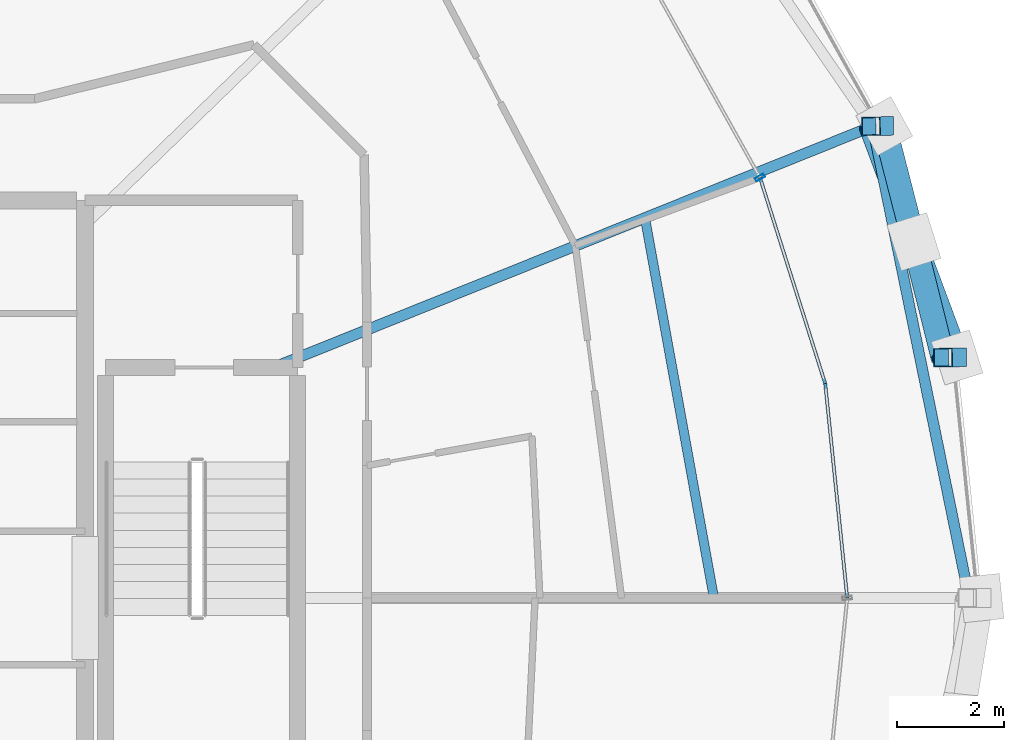
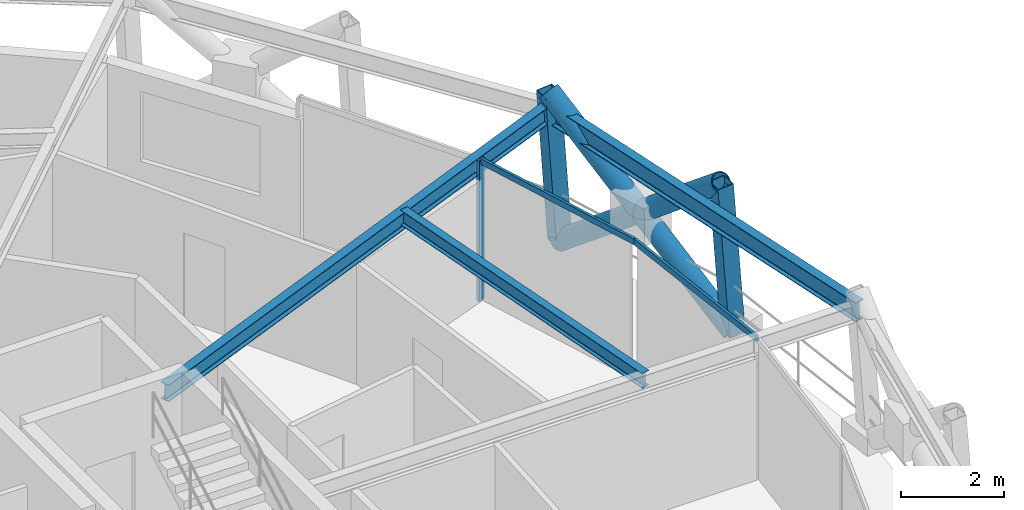
# One storey, part 7 of 17: 8 members, 3 beams, 1 element without a shape of its own.
"""IFC4 building model written with IfcOpenShell, lengths in metres."""

from ifc_helpers import new_model, si_unit, direction, frame, origin, origin_2d, place, context, subcontext, project, spatial, hollow_rectangle, hollow_circle, i_section, extrude, material, layer, layer_set, material_profile, profile_set, type_object, element, aggregate, save


model = new_model("IFC4")

# Units and contexts
model_context = context("Model", 3, precision=1e-05, world=origin(), true_north=direction((0.0, 1.0)))
body_context = subcontext(model_context, "Body", "Model", "MODEL_VIEW")
ifc_project = project(units=[si_unit("LENGTHUNIT", "METRE"), si_unit("AREAUNIT", "SQUARE_METRE"), si_unit("VOLUMEUNIT", "CUBIC_METRE"), si_unit("PLANEANGLEUNIT", "RADIAN"), si_unit("MASSUNIT", "GRAM", prefix="KILO")], contexts=[model_context])

# Site, building, storey
site_placement = place(None, origin())
site = spatial("IfcSite", under=ifc_project, at=site_placement, CompositionType="ELEMENT")
building_placement = place(site_placement, origin())
building = spatial("IfcBuilding", under=site, at=building_placement, Name="Veldorina Hangang Commons", CompositionType="ELEMENT")
storey_placement = place(building_placement, frame((0.0, 0.0, 236.39990234375)))
storey = spatial("IfcBuildingStorey", under=building, at=storey_placement, Name="L61", CompositionType="ELEMENT", Elevation=236.39990234375)

# Beams
ifc_material_1 = material(Name="Steel SM355-TMC", Category="steel")
ifc_material_profile_1 = material_profile(ifc_material_1, i_section(OverallWidth=0.199951171875, OverallDepth=0.39990234375, WebThickness=0.008056640625, FlangeThickness=0.012939453125, FilletRadius=0.012939453125, at=origin_2d()), Name="H-400x200x8x13")
ifc_profile_set_1 = profile_set([ifc_material_profile_1], Name="Steel SM355-TMC")
beam_type_1 = type_object("IfcBeamType", Name="BM-FG400", PredefinedType="BEAM", material=ifc_profile_set_1)
beam_1_placement = place(storey_placement, frame((42.7294921875, 28.320068359375, 3.16015625), z_axis=(0.927635073357, 0.373487845421, 0.0), x_axis=(-0.373487845421, 0.927635073357, 0.0)))
element("IfcBeam", 1, at=beam_1_placement, inside=storey, type_object=beam_type_1, Name="L61 radial floor girder 02", PredefinedType="BEAM", context=body_context, shape_type="SweptSolid", body=[
    extrude(i_section(OverallWidth=0.199951171875, OverallDepth=0.39990234375, WebThickness=0.008056640625, FlangeThickness=0.012939453125, FilletRadius=0.012939453125, at=origin_2d()), origin(), (0.0, 0.0, 1.0), 12.09765625),
])
ifc_material_profile_2 = material_profile(ifc_material_1, i_section(OverallWidth=0.175048828125, OverallDepth=0.35009765625, WebThickness=0.007080078125, FlangeThickness=0.010986328125, FilletRadius=0.012939453125, at=origin_2d()), Name="H-350x175x7x11")
ifc_profile_set_2 = profile_set([ifc_material_profile_2], Name="Steel SM355-TMC")
beam_type_2 = type_object("IfcBeamType", Name="BM-JST350", PredefinedType="JOIST", material=ifc_profile_set_2)
beam_2_placement = place(storey_placement, frame((50.979736328125, 24.0, 3.18505859375), z_axis=(-0.178576714982, 0.983925991559, 0.0), x_axis=(-0.983925991559, -0.178576714982, 0.0)))
element("IfcBeam", 2, at=beam_2_placement, inside=storey, type_object=beam_type_2, Name="L61 secondary floor joist 01", PredefinedType="JOIST", context=body_context, shape_type="SweptSolid", body=[
    extrude(i_section(OverallWidth=0.175048828125, OverallDepth=0.35009765625, WebThickness=0.007080078125, FlangeThickness=0.010986328125, FilletRadius=0.012939453125, at=origin_2d()), origin(), (0.0, 0.0, 1.0), 7.23779296875),
])
ifc_material_profile_3 = material_profile(ifc_material_1, i_section(OverallWidth=0.199951171875, OverallDepth=0.449951171875, WebThickness=0.009033203125, FlangeThickness=0.013916015625, FilletRadius=0.01611328125, at=origin_2d()), Name="H-450x200x9x14")
ifc_profile_set_3 = profile_set([ifc_material_profile_3], Name="Steel SM355-TMC")
beam_type_3 = type_object("IfcBeamType", Name="BM-RB450", PredefinedType="BEAM", material=ifc_profile_set_3)
beam_3_placement = place(storey_placement, frame((55.760498046875, 24.0, 3.135009765625), z_axis=(-0.200501316048, 0.979693432796, 0.0), x_axis=(-0.979693432796, -0.200501316048, 0.0)))
element("IfcBeam", 3, at=beam_3_placement, inside=storey, type_object=beam_type_3, Name="L61 perimeter hoop ring beam 00", PredefinedType="BEAM", context=body_context, shape_type="SweptSolid", body=[
    extrude(i_section(OverallWidth=0.199951171875, OverallDepth=0.449951171875, WebThickness=0.009033203125, FlangeThickness=0.013916015625, FilletRadius=0.01611328125, at=origin_2d()), origin(), (0.0, 0.0, 1.0), 9.021484375),
])

# Curtain wall, members
ifc_material_2 = material(Name="Glass Low-E Selective", Category="glass")
ifc_layer = layer(ifc_material_2, 0.179931640625)
ifc_layer_set = layer_set([ifc_layer], Name="Glass Low-E Selective")
curtain_wall_type = type_object("IfcCurtainWallType", Name="CW-SYS-Z3", PredefinedType="NOTDEFINED", material=ifc_layer_set)
curtain_wall_placement = place(storey_placement, origin())
curtain_wall = element("IfcCurtainWall", 4, at=curtain_wall_placement, inside=storey, type_object=curtain_wall_type, Name="L61 unitised curtain wall CW-L61-R2", PredefinedType="NOTDEFINED")
ifc_material_3 = material(Name="Aluminium Anodized AA6063-T6", Category="aluminium")
ifc_material_profile_4 = material_profile(ifc_material_3, hollow_rectangle(XDim=0.070068359375, YDim=0.179931640625, WallThickness=0.00390625, at=origin_2d()), Name="ALU-RHS-180x70x4")
ifc_profile_set_4 = profile_set([ifc_material_profile_4], Name="Aluminium Anodized AA6063-T6")
member_type_1 = type_object("IfcMemberType", Name="CW-MUL-180", PredefinedType="MULLION", material=ifc_profile_set_4)
member_1_placement = place(storey_placement, frame((51.841552734375, 31.8779296875, 0.0), z_axis=(0.0, 0.0, 1.0), x_axis=(-0.487021489454, 0.873389986667, 0.0)))
member_1 = element("IfcMember", 5, at=member_1_placement, type_object=member_type_1, Name="CW-L61-R2 vertical mullion 3", PredefinedType="MULLION", context=body_context, shape_type="SweptSolid", body=[
    extrude(hollow_rectangle(XDim=0.070068359375, YDim=0.179931640625, WallThickness=0.00390625, at=origin_2d()), origin(), (0.0, 0.0, 1.0), 3.320068359375),
])
ifc_material_profile_5 = material_profile(ifc_material_3, hollow_rectangle(XDim=0.06005859375, YDim=0.139892578125, WallThickness=0.00341796875, at=origin_2d()), Name="ALU-RHS-140x60x3.5")
ifc_profile_set_5 = profile_set([ifc_material_profile_5], Name="Aluminium Anodized AA6063-T6")
member_type_2 = type_object("IfcMemberType", Name="CW-TRN-140", PredefinedType="USERDEFINED", material=ifc_profile_set_5)
member_2_placement = place(storey_placement, frame((53.476318359375, 24.0, 3.280029296875), z_axis=(-0.1021976505, 0.994764112859, 0.0), x_axis=(-0.994764112859, -0.1021976505, 0.0)))
member_2 = element("IfcMember", 6, at=member_2_placement, type_object=member_type_2, Name="CW-L61-R2 facet 3 transom 1", ObjectType="TRANSOM", PredefinedType="USERDEFINED", context=body_context, shape_type="SweptSolid", body=[
    extrude(hollow_rectangle(XDim=0.06005859375, YDim=0.139892578125, WallThickness=0.00341796875, at=origin_2d()), origin(), (0.0, 0.0, 1.0), 4.037353515625),
])
member_3_placement = place(storey_placement, frame((53.063720703125, 28.01611328125, 3.280029296875), z_axis=(-0.301725535313, 0.953394829722, 0.0), x_axis=(-0.953394829722, -0.301725535313, 0.0)))
member_3 = element("IfcMember", 7, at=member_3_placement, type_object=member_type_2, Name="CW-L61-R2 facet 4 transom 1", ObjectType="TRANSOM", PredefinedType="USERDEFINED", context=body_context, shape_type="SweptSolid", body=[
    extrude(hollow_rectangle(XDim=0.06005859375, YDim=0.139892578125, WallThickness=0.00341796875, at=origin_2d()), origin(), (0.0, 0.0, 1.0), 4.050537109375),
])
aggregate(curtain_wall, [member_1, member_2, member_3])

# Members
ifc_material_profile_6 = material_profile(ifc_material_1, hollow_circle(Radius=0.22509765625, WallThickness=0.02197265625, at=origin_2d()), Name="CHS-450x22")
ifc_profile_set_6 = profile_set([ifc_material_profile_6], Name="Steel SM355-TMC")
member_type_3 = type_object("IfcMemberType", Name="DG-CHS450", PredefinedType="BRACE", material=ifc_profile_set_6)
member_4_placement = place(storey_placement, frame((55.53515625, 28.5078125, 0.0), z_axis=(-0.275804432455, 0.739104202115, 0.614537951191), x_axis=(-0.936894586897, -0.34961197497, 0.0)))
element("IfcMember", 8, at=member_4_placement, inside=storey, type_object=member_type_3, Name="L61 continuous perimeter diagrid brace 01", PredefinedType="BRACE", context=body_context, shape_type="SweptSolid", body=[
    extrude(hollow_circle(Radius=0.22509765625, WallThickness=0.02197265625, at=origin_2d()), origin(), (0.0, 0.0, 1.0), 5.858154296875),
])
member_5_placement = place(storey_placement, frame((54.169677734375, 32.84228515625, 0.0), z_axis=(0.193897684111, -0.754518595489, 0.626981161725), x_axis=(0.968530502686, 0.24889488819, 0.0)))
element("IfcMember", 9, at=member_5_placement, inside=storey, type_object=member_type_3, Name="L61 split perimeter diagrid lower brace 02", PredefinedType="BRACE", context=body_context, shape_type="SweptSolid", body=[
    extrude(hollow_circle(Radius=0.22509765625, WallThickness=0.02197265625, at=origin_2d()), origin(), (0.0, 0.0, 1.0), 2.873291015625),
])
member_6_placement = place(storey_placement, frame((54.726806640625, 30.67431640625, 1.801513671875), z_axis=(0.189138497592, -0.755873330009, 0.626803109205), x_axis=(0.970091092345, 0.242741163697, 0.0)))
element("IfcMember", 10, at=member_6_placement, inside=storey, type_object=member_type_3, Name="L61 split perimeter diagrid upper brace 02", PredefinedType="BRACE", context=body_context, shape_type="SweptSolid", body=[
    extrude(hollow_circle(Radius=0.22509765625, WallThickness=0.02197265625, at=origin_2d()), origin(), (0.0, 0.0, 1.0), 2.869384765625),
])
ifc_material_profile_7 = material_profile(ifc_material_1, hollow_rectangle(XDim=0.35009765625, YDim=0.35009765625, WallThickness=0.01611328125, at=origin_2d()), Name="SHS-350x350x16")
ifc_profile_set_7 = profile_set([ifc_material_profile_7], Name="Steel SM355-TMC")
member_type_4 = type_object("IfcMemberType", Name="STR-SHS350", PredefinedType="STRUT", material=ifc_profile_set_7)
member_7_placement = place(storey_placement, frame((55.53515625, 28.5078125, 0.0), z_axis=(-0.073582687686, -0.000676311468, 0.99728889028), x_axis=(0.00919078827, -0.999957763814, 0.0)))
element("IfcMember", 11, at=member_7_placement, inside=storey, type_object=member_type_4, Name="L61 perimeter ring node post 01", PredefinedType="STRUT", context=body_context, shape_type="SweptSolid", body=[
    extrude(hollow_rectangle(XDim=0.35009765625, YDim=0.35009765625, WallThickness=0.01611328125, at=origin_2d()), origin(), (0.0, 0.0, 1.0), 3.60986328125),
])
member_8_placement = place(storey_placement, frame((54.169677734375, 32.84228515625, 0.0), z_axis=(-0.069342998123, -0.001285382404, 0.997592049088), x_axis=(0.018533401555, -0.999828241763, 0.0)))
element("IfcMember", 12, at=member_8_placement, inside=storey, type_object=member_type_4, Name="L61 perimeter ring node post 02", PredefinedType="STRUT", context=body_context, shape_type="SweptSolid", body=[
    extrude(hollow_rectangle(XDim=0.35009765625, YDim=0.35009765625, WallThickness=0.01611328125, at=origin_2d()), origin(), (0.0, 0.0, 1.0), 3.60888671875),
])

save(model, "model.ifc")
